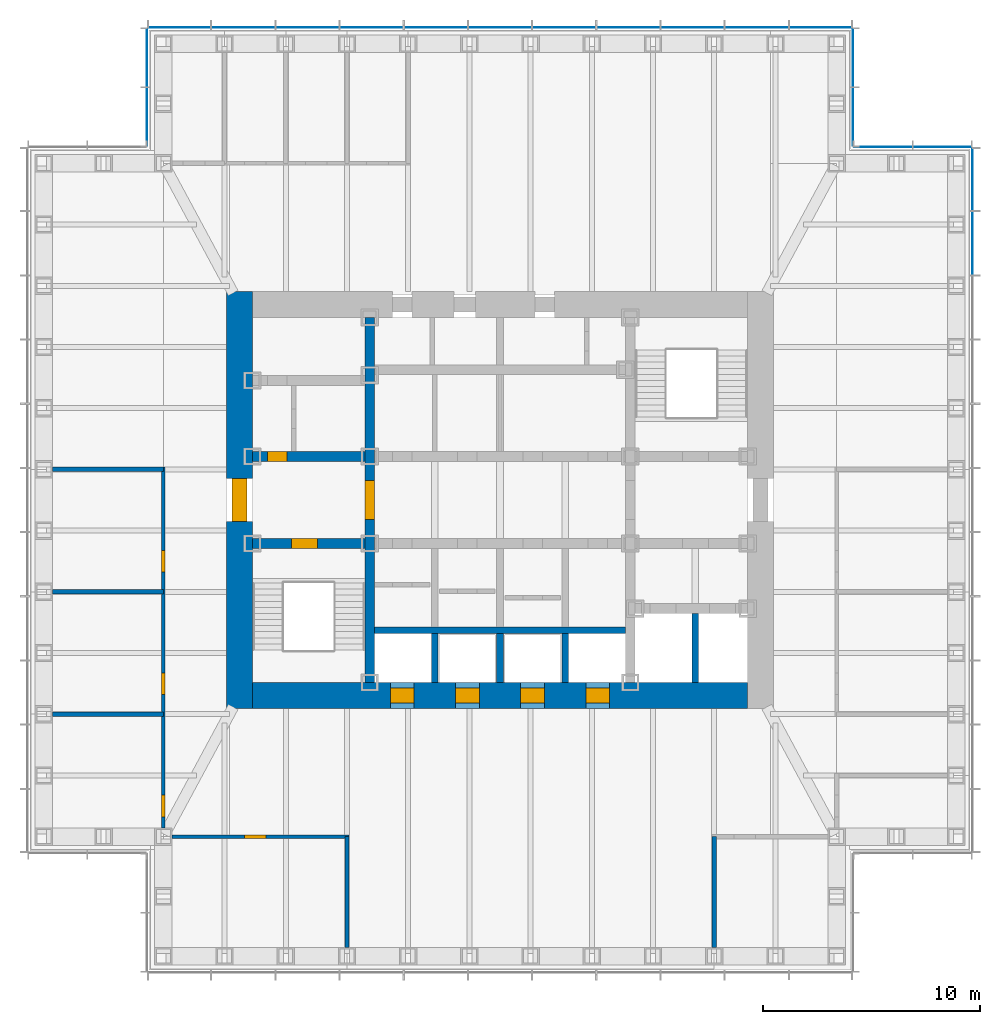
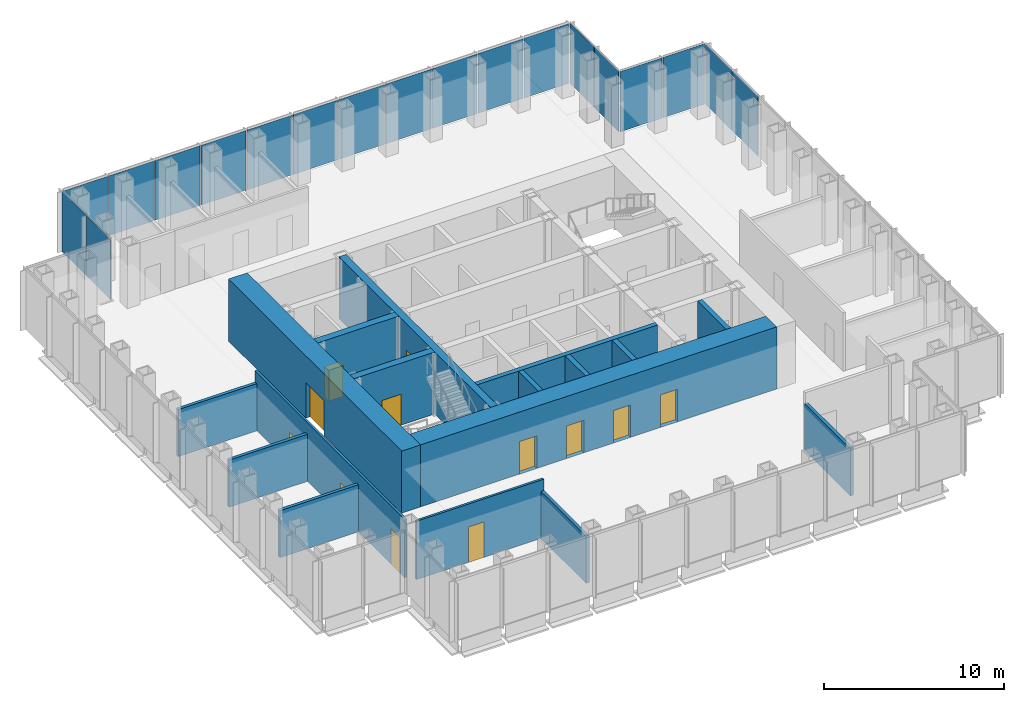
# One storey, part 8 of 16: 19 plates, 17 walls, 12 doors, 12 openings, 5 elements without a shape of their own.
"""IFC4 building model written with IfcOpenShell, lengths in metres."""

from ifc_helpers import new_model, si_unit, direction, frame, frame_2d, origin, origin_2d, place, context, subcontext, project, spatial, rectangle, extrude, material, layer, layer_set, type_object, element, fill, aggregate, save


model = new_model("IFC4")

# Units and contexts
model_context = context("Model", 3, precision=1e-05, world=origin(), true_north=direction((0.0, 1.0)))
body_context = subcontext(model_context, "Body", "Model", "MODEL_VIEW")
ifc_project = project(units=[si_unit("LENGTHUNIT", "METRE"), si_unit("AREAUNIT", "SQUARE_METRE"), si_unit("VOLUMEUNIT", "CUBIC_METRE"), si_unit("PLANEANGLEUNIT", "RADIAN"), si_unit("MASSUNIT", "GRAM", prefix="KILO")], contexts=[model_context])

# Site, building, storey
site_placement = place(None, origin())
site = spatial("IfcSite", under=ifc_project, at=site_placement, CompositionType="ELEMENT")
building_placement = place(site_placement, origin())
building = spatial("IfcBuilding", under=site, at=building_placement, Name="Daluyong Arena Tower", CompositionType="ELEMENT")
storey_placement = place(building_placement, frame((0.0, 0.0, 240.10009765625)))
storey = spatial("IfcBuildingStorey", under=building, at=storey_placement, Name="L54", CompositionType="ELEMENT", Elevation=240.10009765625)

# Curtain wall, plates
ifc_material_1 = material(Name="Bronze anodised aluminium and glass", Category="aluminium")
curtain_wall_type_1 = type_object("IfcCurtainWallType", Name="Curtain wall CW3", PredefinedType="USERDEFINED", material=ifc_material_1)
curtain_wall_1_placement = place(storey_placement, origin())
curtain_wall_1 = element("IfcCurtainWall", 1, at=curtain_wall_1_placement, inside=storey, type_object=curtain_wall_type_1, Name="curtain wall L54 E", ObjectType="UNITISED CURTAIN WALL", PredefinedType="USERDEFINED")
ifc_material_2 = material(Name="Tinted double glazed unit", Category="glass")
ifc_layer_1 = layer(ifc_material_2, 0.030029296875)
ifc_layer_set_1 = layer_set([ifc_layer_1], Name="Tinted double glazed unit")
plate_type_1 = type_object("IfcPlateType", Name="CW3 panel 30", PredefinedType="CURTAIN_PANEL", material=ifc_layer_set_1)
plate_1_placement = place(storey_placement, frame((77.75, 91.818115234375, 0.0), z_axis=(0.0, 0.0, 1.0), x_axis=(0.0, 1.0, 0.0)))
plate_1 = element("IfcPlate", 2, at=plate_1_placement, type_object=plate_type_1, Name="curtain wall L54 E panel 10", PredefinedType="CURTAIN_PANEL", context=body_context, shape_type="SweptSolid", body=[
    extrude(rectangle(XDim=2.884521484375, YDim=0.030029296875, at=origin_2d()), origin(), (0.0, 0.0, 1.0), 4.0400390625),
])
plate_2_placement = place(storey_placement, frame((77.75, 94.755126953125, 0.0), z_axis=(0.0, 0.0, 1.0), x_axis=(0.0, 1.0, 0.0)))
plate_2 = element("IfcPlate", 3, at=plate_2_placement, type_object=plate_type_1, Name="curtain wall L54 E panel 11", PredefinedType="CURTAIN_PANEL", context=body_context, shape_type="SweptSolid", body=[
    extrude(rectangle(XDim=2.849609375, YDim=0.030029296875, at=origin_2d()), origin(), (0.0, 0.0, 1.0), 4.0400390625),
])
aggregate(curtain_wall_1, [plate_1, plate_2])

curtain_wall_2_placement = place(storey_placement, origin())
curtain_wall_2 = element("IfcCurtainWall", 4, at=curtain_wall_2_placement, inside=storey, type_object=curtain_wall_type_1, Name="curtain wall L54 N", ObjectType="UNITISED CURTAIN WALL", PredefinedType="USERDEFINED")
plate_3_placement = place(storey_placement, frame((70.755126953125, 101.75, 0.0), z_axis=(0.0, 0.0, 1.0), x_axis=(-1.0, 0.0, 0.0)))
plate_3 = element("IfcPlate", 5, at=plate_3_placement, type_object=plate_type_1, Name="curtain wall L54 N panel 1", PredefinedType="CURTAIN_PANEL", context=body_context, shape_type="SweptSolid", body=[
    extrude(rectangle(XDim=2.849609375, YDim=0.030029296875, at=origin_2d()), origin(), (0.0, 0.0, 1.0), 4.0400390625),
])
plate_4_placement = place(storey_placement, frame((67.818115234375, 101.75, 0.0), z_axis=(0.0, 0.0, 1.0), x_axis=(-1.0, 0.0, 0.0)))
plate_4 = element("IfcPlate", 6, at=plate_4_placement, type_object=plate_type_1, Name="curtain wall L54 N panel 2", PredefinedType="CURTAIN_PANEL", context=body_context, shape_type="SweptSolid", body=[
    extrude(rectangle(XDim=2.884521484375, YDim=0.030029296875, at=origin_2d()), origin(), (0.0, 0.0, 1.0), 4.0400390625),
])
plate_5_placement = place(storey_placement, frame((64.863525390625, 101.75, 0.0), z_axis=(0.0, 0.0, 1.0), x_axis=(-1.0, 0.0, 0.0)))
plate_5 = element("IfcPlate", 7, at=plate_5_placement, type_object=plate_type_1, Name="curtain wall L54 N panel 3", PredefinedType="CURTAIN_PANEL", context=body_context, shape_type="SweptSolid", body=[
    extrude(rectangle(XDim=2.884521484375, YDim=0.030029296875, at=origin_2d()), origin(), (0.0, 0.0, 1.0), 4.0400390625),
])
plate_6_placement = place(storey_placement, frame((61.9091796875, 101.75, 0.0), z_axis=(0.0, 0.0, 1.0), x_axis=(-1.0, 0.0, 0.0)))
plate_6 = element("IfcPlate", 8, at=plate_6_placement, type_object=plate_type_1, Name="curtain wall L54 N panel 4", PredefinedType="CURTAIN_PANEL", context=body_context, shape_type="SweptSolid", body=[
    extrude(rectangle(XDim=2.884521484375, YDim=0.030029296875, at=origin_2d()), origin(), (0.0, 0.0, 1.0), 4.0400390625),
])
plate_7_placement = place(storey_placement, frame((58.95458984375, 101.75, 0.0), z_axis=(0.0, 0.0, 1.0), x_axis=(-1.0, 0.0, 0.0)))
plate_7 = element("IfcPlate", 9, at=plate_7_placement, type_object=plate_type_1, Name="curtain wall L54 N panel 5", PredefinedType="CURTAIN_PANEL", context=body_context, shape_type="SweptSolid", body=[
    extrude(rectangle(XDim=2.884521484375, YDim=0.030029296875, at=origin_2d()), origin(), (0.0, 0.0, 1.0), 4.0400390625),
])
plate_8_placement = place(storey_placement, frame((56.0, 101.75, 0.0), z_axis=(0.0, 0.0, 1.0), x_axis=(-1.0, 0.0, 0.0)))
plate_8 = element("IfcPlate", 10, at=plate_8_placement, type_object=plate_type_1, Name="curtain wall L54 N panel 6", PredefinedType="CURTAIN_PANEL", context=body_context, shape_type="SweptSolid", body=[
    extrude(rectangle(XDim=2.884521484375, YDim=0.030029296875, at=origin_2d()), origin(), (0.0, 0.0, 1.0), 4.0400390625),
])
plate_9_placement = place(storey_placement, frame((53.04541015625, 101.75, 0.0), z_axis=(0.0, 0.0, 1.0), x_axis=(-1.0, 0.0, 0.0)))
plate_9 = element("IfcPlate", 11, at=plate_9_placement, type_object=plate_type_1, Name="curtain wall L54 N panel 7", PredefinedType="CURTAIN_PANEL", context=body_context, shape_type="SweptSolid", body=[
    extrude(rectangle(XDim=2.884521484375, YDim=0.030029296875, at=origin_2d()), origin(), (0.0, 0.0, 1.0), 4.0400390625),
])
plate_10_placement = place(storey_placement, frame((50.0908203125, 101.75, 0.0), z_axis=(0.0, 0.0, 1.0), x_axis=(-1.0, 0.0, 0.0)))
plate_10 = element("IfcPlate", 12, at=plate_10_placement, type_object=plate_type_1, Name="curtain wall L54 N panel 8", PredefinedType="CURTAIN_PANEL", context=body_context, shape_type="SweptSolid", body=[
    extrude(rectangle(XDim=2.884521484375, YDim=0.030029296875, at=origin_2d()), origin(), (0.0, 0.0, 1.0), 4.0400390625),
])
plate_11_placement = place(storey_placement, frame((47.136474609375, 101.75, 0.0), z_axis=(0.0, 0.0, 1.0), x_axis=(-1.0, 0.0, 0.0)))
plate_11 = element("IfcPlate", 13, at=plate_11_placement, type_object=plate_type_1, Name="curtain wall L54 N panel 9", PredefinedType="CURTAIN_PANEL", context=body_context, shape_type="SweptSolid", body=[
    extrude(rectangle(XDim=2.884521484375, YDim=0.030029296875, at=origin_2d()), origin(), (0.0, 0.0, 1.0), 4.0400390625),
])
plate_12_placement = place(storey_placement, frame((44.181884765625, 101.75, 0.0), z_axis=(0.0, 0.0, 1.0), x_axis=(-1.0, 0.0, 0.0)))
plate_12 = element("IfcPlate", 14, at=plate_12_placement, type_object=plate_type_1, Name="curtain wall L54 N panel 10", PredefinedType="CURTAIN_PANEL", context=body_context, shape_type="SweptSolid", body=[
    extrude(rectangle(XDim=2.884521484375, YDim=0.030029296875, at=origin_2d()), origin(), (0.0, 0.0, 1.0), 4.0400390625),
])
plate_13_placement = place(storey_placement, frame((41.244873046875, 101.75, 0.0), z_axis=(0.0, 0.0, 1.0), x_axis=(-1.0, 0.0, 0.0)))
plate_13 = element("IfcPlate", 15, at=plate_13_placement, type_object=plate_type_1, Name="curtain wall L54 N panel 11", PredefinedType="CURTAIN_PANEL", context=body_context, shape_type="SweptSolid", body=[
    extrude(rectangle(XDim=2.849609375, YDim=0.030029296875, at=origin_2d()), origin(), (0.0, 0.0, 1.0), 4.0400390625),
])
aggregate(curtain_wall_2, [plate_3, plate_4, plate_5, plate_6, plate_7, plate_8, plate_9, plate_10, plate_11, plate_12, plate_13])

ifc_material_3 = material(Name="Bronze anodised aluminium and glass", Category="aluminium")
curtain_wall_type_2 = type_object("IfcCurtainWallType", Name="Curtain wall CW7", PredefinedType="USERDEFINED", material=ifc_material_3)
curtain_wall_3_placement = place(storey_placement, origin())
curtain_wall_3 = element("IfcCurtainWall", 16, at=curtain_wall_3_placement, inside=storey, type_object=curtain_wall_type_2, Name="curtain wall L54 NE-N", ObjectType="UNITISED CURTAIN WALL", PredefinedType="USERDEFINED")
ifc_material_4 = material(Name="Tinted double glazed unit", Category="glass")
ifc_layer_2 = layer(ifc_material_4, 0.028076171875)
ifc_layer_set_2 = layer_set([ifc_layer_2], Name="Tinted double glazed unit")
plate_type_2 = type_object("IfcPlateType", Name="CW7 panel 28", PredefinedType="CURTAIN_PANEL", material=ifc_layer_set_2)
plate_14_placement = place(storey_placement, frame((76.360107421875, 96.25, -0.000244140625), z_axis=(0.0, 0.0, 1.0), x_axis=(-1.0, 0.0, 0.0)))
plate_14 = element("IfcPlate", 17, at=plate_14_placement, type_object=plate_type_2, Name="curtain wall L54 NE-N panel 1", PredefinedType="CURTAIN_PANEL", context=body_context, shape_type="SweptSolid", body=[
    extrude(rectangle(XDim=2.659912109375, YDim=0.028076171875, at=origin_2d()), origin(), (0.0, 0.0, 1.0), 4.080078125),
])
plate_15_placement = place(storey_placement, frame((73.639892578125, 96.25, -0.000244140625), z_axis=(0.0, 0.0, 1.0), x_axis=(-1.0, 0.0, 0.0)))
plate_15 = element("IfcPlate", 18, at=plate_15_placement, type_object=plate_type_2, Name="curtain wall L54 NE-N panel 2", PredefinedType="CURTAIN_PANEL", context=body_context, shape_type="SweptSolid", body=[
    extrude(rectangle(XDim=2.659912109375, YDim=0.028076171875, at=origin_2d()), origin(), (0.0, 0.0, 1.0), 4.080078125),
])
aggregate(curtain_wall_3, [plate_14, plate_15])

curtain_wall_4_placement = place(storey_placement, origin())
curtain_wall_4 = element("IfcCurtainWall", 19, at=curtain_wall_4_placement, inside=storey, type_object=curtain_wall_type_2, Name="curtain wall L54 NE-E", ObjectType="UNITISED CURTAIN WALL", PredefinedType="USERDEFINED")
plate_16_placement = place(storey_placement, frame((72.25, 97.639892578125, -0.000244140625), z_axis=(0.0, 0.0, 1.0), x_axis=(0.0, 1.0, 0.0)))
plate_16 = element("IfcPlate", 20, at=plate_16_placement, type_object=plate_type_2, Name="curtain wall L54 NE-E panel 1", PredefinedType="CURTAIN_PANEL", context=body_context, shape_type="SweptSolid", body=[
    extrude(rectangle(XDim=2.659912109375, YDim=0.028076171875, at=origin_2d()), origin(), (0.0, 0.0, 1.0), 4.080078125),
])
plate_17_placement = place(storey_placement, frame((72.25, 100.360107421875, -0.000244140625), z_axis=(0.0, 0.0, 1.0), x_axis=(0.0, 1.0, 0.0)))
plate_17 = element("IfcPlate", 21, at=plate_17_placement, type_object=plate_type_2, Name="curtain wall L54 NE-E panel 2", PredefinedType="CURTAIN_PANEL", context=body_context, shape_type="SweptSolid", body=[
    extrude(rectangle(XDim=2.659912109375, YDim=0.028076171875, at=origin_2d()), origin(), (0.0, 0.0, 1.0), 4.080078125),
])
aggregate(curtain_wall_4, [plate_16, plate_17])

curtain_wall_5_placement = place(storey_placement, origin())
curtain_wall_5 = element("IfcCurtainWall", 22, at=curtain_wall_5_placement, inside=storey, type_object=curtain_wall_type_2, Name="curtain wall L54 NW-W", ObjectType="UNITISED CURTAIN WALL", PredefinedType="USERDEFINED")
plate_18_placement = place(storey_placement, frame((39.75, 100.360107421875, -0.000244140625), z_axis=(0.0, 0.0, 1.0), x_axis=(0.0, -1.0, 0.0)))
plate_18 = element("IfcPlate", 23, at=plate_18_placement, type_object=plate_type_2, Name="curtain wall L54 NW-W panel 1", PredefinedType="CURTAIN_PANEL", context=body_context, shape_type="SweptSolid", body=[
    extrude(rectangle(XDim=2.659912109375, YDim=0.028076171875, at=origin_2d()), origin(), (0.0, 0.0, 1.0), 4.080078125),
])
plate_19_placement = place(storey_placement, frame((39.75, 97.639892578125, -0.000244140625), z_axis=(0.0, 0.0, 1.0), x_axis=(0.0, -1.0, 0.0)))
plate_19 = element("IfcPlate", 24, at=plate_19_placement, type_object=plate_type_2, Name="curtain wall L54 NW-W panel 2", PredefinedType="CURTAIN_PANEL", context=body_context, shape_type="SweptSolid", body=[
    extrude(rectangle(XDim=2.659912109375, YDim=0.028076171875, at=origin_2d()), origin(), (0.0, 0.0, 1.0), 4.080078125),
])
aggregate(curtain_wall_5, [plate_18, plate_19])

# Wall, opening, door
ifc_material_5 = material(Name="Concrete fc' 45 MPa", Category="concrete")
ifc_layer_3 = layer(ifc_material_5, 0.449951171875)
ifc_layer_set_3 = layer_set([ifc_layer_3], Name="Concrete fc' 45 MPa")
wall_type_1 = type_object("IfcWallType", Name="Core inner wall 450", PredefinedType="SHEAR", material=ifc_layer_set_3)
wall_1_placement = place(storey_placement, frame((50.0, 71.60009765625, 0.0), z_axis=(0.0, 0.0, 1.0), x_axis=(0.0, 1.0, 0.0)))
wall_1 = element("IfcWall", 25, at=wall_1_placement, inside=storey, type_object=wall_type_1, Name="core inner wall at L54", PredefinedType="SHEAR", context=body_context, shape_type="SweptSolid", body=[
    extrude(rectangle(XDim=16.7998046875, YDim=0.449951171875, at=frame_2d((8.39990234375, 0.0))), origin(), (0.0, 0.0, 1.0), 4.199951171875),
])
opening_1_placement = place(wall_1_placement, frame((7.5, 0.0, 0.0)))
opening_1 = element("IfcOpeningElement", 26, at=opening_1_placement, cuts=wall_1, Name="Opening 54023", PredefinedType="OPENING", context=body_context, shape_type="SweptSolid", body=[
    extrude(rectangle(XDim=1.800048828125, YDim=2.39990234375, at=frame_2d((0.89990234375, 1.199951171875))), frame((0.0, 0.23486328125, 0.0), z_axis=(0.0, -1.0, 0.0), x_axis=(1.0, 0.0, 0.0)), (0.0, 0.0, 1.0), 0.469970703125),
])
ifc_material_6 = material(Name="Steel door, fire rated", Category="steel")
door_type_1 = type_object("IfcDoorType", Name="Lift lobby opening door 1800", OperationType="DOUBLE_DOOR_SINGLE_SWING", PredefinedType="DOOR", material=ifc_material_6)
door_1_placement = place(opening_1_placement, origin())
door_1 = element("IfcDoor", 27, at=door_1_placement, inside=storey, type_object=door_type_1, Name="lift lobby door west 54023", OperationType="DOUBLE_DOOR_SINGLE_SWING", OverallHeight=2.39990234375, OverallWidth=1.800048828125, PredefinedType="DOOR", context=body_context, shape_type="SweptSolid", body=[
    extrude(rectangle(XDim=1.800048828125, YDim=2.39990234375, at=frame_2d((0.89990234375, 1.199951171875))), frame((0.0, 0.224609375, 0.0), z_axis=(0.0, -1.0, 0.0), x_axis=(1.0, 0.0, 0.0)), (0.0, 0.0, 1.0), 0.449462890625),
])
fill(opening_1, door_1)

wall_2_placement = place(storey_placement, frame((44.60009765625, 78.0, 0.0), z_axis=(0.0, 0.0, 1.0), x_axis=(1.0, 0.0, 0.0)))
wall_2 = element("IfcWall", 28, at=wall_2_placement, inside=storey, type_object=wall_type_1, Name="core inner wall at L54", PredefinedType="SHEAR", context=body_context, shape_type="SweptSolid", body=[
    extrude(rectangle(XDim=5.1748046875, YDim=0.449951171875, at=frame_2d((2.58740234375, 0.0))), origin(), (0.0, 0.0, 1.0), 4.199951171875),
])
opening_2_placement = place(wall_2_placement, frame((1.800048828125, 0.0, 0.0)))
opening_2 = element("IfcOpeningElement", 29, at=opening_2_placement, cuts=wall_2, Name="Opening 54019", PredefinedType="OPENING", context=body_context, shape_type="SweptSolid", body=[
    extrude(rectangle(XDim=1.199951171875, YDim=2.10009765625, at=frame_2d((0.60009765625, 1.050048828125))), frame((0.0, 0.23486328125, 0.0), z_axis=(0.0, -1.0, 0.0), x_axis=(1.0, 0.0, 0.0)), (0.0, 0.0, 1.0), 0.469970703125),
])
ifc_material_7 = material(Name="Steel door, fire rated", Category="steel")
door_type_2 = type_object("IfcDoorType", Name="Stair door 1200", OperationType="SINGLE_SWING_LEFT", PredefinedType="DOOR", material=ifc_material_7)
door_2_placement = place(opening_2_placement, origin())
door_2 = element("IfcDoor", 30, at=door_2_placement, inside=storey, type_object=door_type_2, Name="stair A door 54019", OperationType="SINGLE_SWING_LEFT", OverallHeight=2.10009765625, OverallWidth=1.199951171875, PredefinedType="DOOR", context=body_context, shape_type="SweptSolid", body=[
    extrude(rectangle(XDim=1.199951171875, YDim=2.10009765625, at=frame_2d((0.60009765625, 1.050048828125))), frame((0.0, 0.224609375, 0.0), z_axis=(0.0, -1.0, 0.0), x_axis=(1.0, 0.0, 0.0)), (0.0, 0.0, 1.0), 0.449462890625),
])
fill(opening_2, door_2)

wall_3_placement = place(storey_placement, frame((44.60009765625, 82.0, 0.0), z_axis=(0.0, 0.0, 1.0), x_axis=(1.0, 0.0, 0.0)))
wall_3 = element("IfcWall", 31, at=wall_3_placement, inside=storey, type_object=wall_type_1, Name="core inner wall at L54", PredefinedType="SHEAR", context=body_context, shape_type="SweptSolid", body=[
    extrude(rectangle(XDim=5.1748046875, YDim=0.449951171875, at=frame_2d((2.58740234375, 0.0))), origin(), (0.0, 0.0, 1.0), 4.199951171875),
])
opening_3_placement = place(wall_3_placement, frame((0.699951171875, 0.0, 0.0)))
opening_3 = element("IfcOpeningElement", 32, at=opening_3_placement, cuts=wall_3, Name="Opening 54001", PredefinedType="OPENING", context=body_context, shape_type="SweptSolid", body=[
    extrude(rectangle(XDim=0.89990234375, YDim=2.10009765625, at=frame_2d((0.449951171875, 1.050048828125))), frame((0.0, 0.23486328125, 0.0), z_axis=(0.0, -1.0, 0.0), x_axis=(1.0, 0.0, 0.0)), (0.0, 0.0, 1.0), 0.469970703125),
])
ifc_material_8 = material(Name="Steel door, fire rated", Category="steel")
door_type_3 = type_object("IfcDoorType", Name="Core room door 900", OperationType="SINGLE_SWING_LEFT", PredefinedType="DOOR", material=ifc_material_8)
door_3_placement = place(opening_3_placement, origin())
door_3 = element("IfcDoor", 33, at=door_3_placement, inside=storey, type_object=door_type_3, Name="toilet lobby door 54001", OperationType="SINGLE_SWING_LEFT", OverallHeight=2.10009765625, OverallWidth=0.89990234375, PredefinedType="DOOR", context=body_context, shape_type="SweptSolid", body=[
    extrude(rectangle(XDim=0.89990234375, YDim=2.10009765625, at=frame_2d((0.449951171875, 1.050048828125))), frame((0.0, 0.224609375, 0.0), z_axis=(0.0, -1.0, 0.0), x_axis=(1.0, 0.0, 0.0)), (0.0, 0.0, 1.0), 0.449462890625),
])
fill(opening_3, door_3)

ifc_material_9 = material(Name="Concrete fc' 60 MPa", Category="concrete")
ifc_layer_4 = layer(ifc_material_9, 1.199951171875)
ifc_layer_set_4 = layer_set([ifc_layer_4], Name="Concrete fc' 60 MPa")
wall_type_2 = type_object("IfcWallType", Name="Core wall 1200", PredefinedType="SHEAR", material=ifc_layer_set_4)
wall_4_placement = place(storey_placement, frame((44.0, 70.39990234375, 0.0), z_axis=(0.0, 0.0, 1.0), x_axis=(0.0, 1.0, 0.0)))
wall_4 = element("IfcWall", 34, at=wall_4_placement, inside=storey, type_object=wall_type_2, Name="core wall at L54", PredefinedType="SHEAR", context=body_context, shape_type="SweptSolid", body=[
    extrude(rectangle(XDim=19.2001953125, YDim=1.199951171875, at=frame_2d((9.60009765625, 0.0))), origin(), (0.0, 0.0, 1.0), 4.199951171875),
])
opening_4_placement = place(wall_4_placement, frame((8.60009765625, 0.0, 0.0)))
opening_4 = element("IfcOpeningElement", 35, at=opening_4_placement, cuts=wall_4, Name="Opening 54021", PredefinedType="OPENING", context=body_context, shape_type="SweptSolid", body=[
    extrude(rectangle(XDim=2.0, YDim=2.39990234375, at=frame_2d((1.0, 1.199951171875))), frame((0.0, 0.60986328125, 0.0), z_axis=(0.0, -1.0, 0.0), x_axis=(1.0, 0.0, 0.0)), (0.0, 0.0, 1.0), 1.219970703125),
])
ifc_material_10 = material(Name="Steel door, fire rated", Category="steel")
door_type_4 = type_object("IfcDoorType", Name="Core lobby double door 2000", OperationType="DOUBLE_DOOR_SINGLE_SWING", PredefinedType="DOOR", material=ifc_material_10)
door_4_placement = place(opening_4_placement, origin())
door_4 = element("IfcDoor", 36, at=door_4_placement, inside=storey, type_object=door_type_4, Name="core lobby door west 54021", OperationType="DOUBLE_DOOR_SINGLE_SWING", OverallHeight=2.39990234375, OverallWidth=2.0, PredefinedType="DOOR", context=body_context, shape_type="SweptSolid", body=[
    extrude(rectangle(XDim=2.0, YDim=2.39990234375, at=frame_2d((1.0, 1.199951171875))), frame((0.0, 0.35009765625, 0.0), z_axis=(0.0, -1.0, 0.0), x_axis=(1.0, 0.0, 0.0)), (0.0, 0.0, 1.0), 0.699951171875),
])
fill(opening_4, door_4)

# Wall, openings, doors
wall_5_placement = place(storey_placement, frame((44.60009765625, 71.0, 0.0), z_axis=(0.0, 0.0, 1.0), x_axis=(1.0, 0.0, 0.0)))
wall_5 = element("IfcWall", 37, at=wall_5_placement, inside=storey, type_object=wall_type_2, Name="core wall at L54", PredefinedType="SHEAR", context=body_context, shape_type="SweptSolid", body=[
    extrude(rectangle(XDim=22.7998046875, YDim=1.199951171875, at=frame_2d((11.39990234375, 0.0))), origin(), (0.0, 0.0, 1.0), 4.199951171875),
])
opening_5_placement = place(wall_5_placement, frame((6.35009765625, 0.0, 0.0)))
opening_5 = element("IfcOpeningElement", 38, at=opening_5_placement, cuts=wall_5, Name="Opening 54026", PredefinedType="OPENING", context=body_context, shape_type="SweptSolid", body=[
    extrude(rectangle(XDim=1.10009765625, YDim=2.199951171875, at=frame_2d((0.550048828125, 1.10009765625))), frame((0.0, 0.60986328125, 0.0), z_axis=(0.0, -1.0, 0.0), x_axis=(1.0, 0.0, 0.0)), (0.0, 0.0, 1.0), 1.219970703125),
])
opening_6_placement = place(wall_5_placement, frame((9.35009765625, 0.0, 0.0)))
opening_6 = element("IfcOpeningElement", 39, at=opening_6_placement, cuts=wall_5, Name="Opening 54027", PredefinedType="OPENING", context=body_context, shape_type="SweptSolid", body=[
    extrude(rectangle(XDim=1.10009765625, YDim=2.199951171875, at=frame_2d((0.550048828125, 1.10009765625))), frame((0.0, 0.60986328125, 0.0), z_axis=(0.0, -1.0, 0.0), x_axis=(1.0, 0.0, 0.0)), (0.0, 0.0, 1.0), 1.219970703125),
])
opening_7_placement = place(wall_5_placement, frame((12.35009765625, 0.0, 0.0)))
opening_7 = element("IfcOpeningElement", 40, at=opening_7_placement, cuts=wall_5, Name="Opening 54028", PredefinedType="OPENING", context=body_context, shape_type="SweptSolid", body=[
    extrude(rectangle(XDim=1.10009765625, YDim=2.199951171875, at=frame_2d((0.550048828125, 1.10009765625))), frame((0.0, 0.60986328125, 0.0), z_axis=(0.0, -1.0, 0.0), x_axis=(1.0, 0.0, 0.0)), (0.0, 0.0, 1.0), 1.219970703125),
])
opening_8_placement = place(wall_5_placement, frame((15.35009765625, 0.0, 0.0)))
opening_8 = element("IfcOpeningElement", 41, at=opening_8_placement, cuts=wall_5, Name="Opening 54029", PredefinedType="OPENING", context=body_context, shape_type="SweptSolid", body=[
    extrude(rectangle(XDim=1.10009765625, YDim=2.199951171875, at=frame_2d((0.550048828125, 1.10009765625))), frame((0.0, 0.60986328125, 0.0), z_axis=(0.0, -1.0, 0.0), x_axis=(1.0, 0.0, 0.0)), (0.0, 0.0, 1.0), 1.219970703125),
])
ifc_material_11 = material(Name="Steel door, fire rated", Category="steel")
door_type_5 = type_object("IfcDoorType", Name="Lift landing door 1100", OperationType="SLIDING_TO_LEFT", PredefinedType="DOOR", material=ifc_material_11)
door_5_placement = place(opening_5_placement, origin())
door_5 = element("IfcDoor", 42, at=door_5_placement, inside=storey, type_object=door_type_5, Name="lift landing door C1 54026", OperationType="SLIDING_TO_LEFT", OverallHeight=2.199951171875, OverallWidth=1.10009765625, PredefinedType="DOOR", context=body_context, shape_type="SweptSolid", body=[
    extrude(rectangle(XDim=1.10009765625, YDim=2.199951171875, at=frame_2d((0.550048828125, 1.10009765625))), frame((0.0, 0.35009765625, 0.0), z_axis=(0.0, -1.0, 0.0), x_axis=(1.0, 0.0, 0.0)), (0.0, 0.0, 1.0), 0.699951171875),
])
fill(opening_5, door_5)
door_6_placement = place(opening_6_placement, origin())
door_6 = element("IfcDoor", 43, at=door_6_placement, inside=storey, type_object=door_type_5, Name="lift landing door C2 54027", OperationType="SLIDING_TO_LEFT", OverallHeight=2.199951171875, OverallWidth=1.10009765625, PredefinedType="DOOR", context=body_context, shape_type="SweptSolid", body=[
    extrude(rectangle(XDim=1.10009765625, YDim=2.199951171875, at=frame_2d((0.550048828125, 1.10009765625))), frame((0.0, 0.35009765625, 0.0), z_axis=(0.0, -1.0, 0.0), x_axis=(1.0, 0.0, 0.0)), (0.0, 0.0, 1.0), 0.699951171875),
])
fill(opening_6, door_6)
door_7_placement = place(opening_7_placement, origin())
door_7 = element("IfcDoor", 44, at=door_7_placement, inside=storey, type_object=door_type_5, Name="lift landing door C3 54028", OperationType="SLIDING_TO_LEFT", OverallHeight=2.199951171875, OverallWidth=1.10009765625, PredefinedType="DOOR", context=body_context, shape_type="SweptSolid", body=[
    extrude(rectangle(XDim=1.10009765625, YDim=2.199951171875, at=frame_2d((0.550048828125, 1.10009765625))), frame((0.0, 0.35009765625, 0.0), z_axis=(0.0, -1.0, 0.0), x_axis=(1.0, 0.0, 0.0)), (0.0, 0.0, 1.0), 0.699951171875),
])
fill(opening_7, door_7)
door_8_placement = place(opening_8_placement, origin())
door_8 = element("IfcDoor", 45, at=door_8_placement, inside=storey, type_object=door_type_5, Name="lift landing door C4 54029", OperationType="SLIDING_TO_LEFT", OverallHeight=2.199951171875, OverallWidth=1.10009765625, PredefinedType="DOOR", context=body_context, shape_type="SweptSolid", body=[
    extrude(rectangle(XDim=1.10009765625, YDim=2.199951171875, at=frame_2d((0.550048828125, 1.10009765625))), frame((0.0, 0.35009765625, 0.0), z_axis=(0.0, -1.0, 0.0), x_axis=(1.0, 0.0, 0.0)), (0.0, 0.0, 1.0), 0.699951171875),
])
fill(opening_8, door_8)

# Wall, opening, door
ifc_material_12 = material(Name="Glazed aluminium partition", Category="aluminium")
ifc_layer_5 = layer(ifc_material_12, 0.14990234375)
ifc_layer_set_5 = layer_set([ifc_layer_5], Name="Glazed aluminium partition")
wall_type_3 = type_object("IfcWallType", Name="Glazed partition 150", PredefinedType="PARTITIONING", material=ifc_layer_set_5)
wall_6_placement = place(storey_placement, frame((40.89990234375, 64.5, 0.0), z_axis=(0.0, 0.0, 1.0), x_axis=(1.0, 0.0, 0.0)))
wall_6 = element("IfcWall", 46, at=wall_6_placement, inside=storey, type_object=wall_type_3, Name="glazed partition at L54", PredefinedType="PARTITIONING", context=body_context, shape_type="SweptSolid", body=[
    extrude(rectangle(XDim=8.154541015625, YDim=0.14990234375, at=frame_2d((4.0771484375, 0.0))), origin(), (0.0, 0.0, 1.0), 3.949951171875),
])
opening_9_placement = place(wall_6_placement, frame((3.327392578125, 0.0, 0.0)))
opening_9 = element("IfcOpeningElement", 47, at=opening_9_placement, cuts=wall_6, Name="Opening 54032", PredefinedType="OPENING", context=body_context, shape_type="SweptSolid", body=[
    extrude(rectangle(XDim=1.0, YDim=2.39990234375, at=frame_2d((0.5, 1.199951171875))), frame((0.0, 0.0849609375, 0.0), z_axis=(0.0, -1.0, 0.0), x_axis=(1.0, 0.0, 0.0)), (0.0, 0.0, 1.0), 0.169921875),
])
ifc_material_13 = material(Name="Glazed aluminium door", Category="aluminium")
door_type_6 = type_object("IfcDoorType", Name="Meeting room glazed door 1000", OperationType="SINGLE_SWING_RIGHT", PredefinedType="DOOR", material=ifc_material_13)
door_9_placement = place(opening_9_placement, origin())
door_9 = element("IfcDoor", 48, at=door_9_placement, inside=storey, type_object=door_type_6, Name="meeting room door 54032", OperationType="SINGLE_SWING_RIGHT", OverallHeight=2.39990234375, OverallWidth=1.0, PredefinedType="DOOR", context=body_context, shape_type="SweptSolid", body=[
    extrude(rectangle(XDim=1.0, YDim=2.39990234375, at=frame_2d((0.5, 1.199951171875))), frame((0.0, 0.07470703125, 0.0), z_axis=(0.0, -1.0, 0.0), x_axis=(1.0, 0.0, 0.0)), (0.0, 0.0, 1.0), 0.1494140625),
])
fill(opening_9, door_9)

# Wall, openings, doors
wall_7_placement = place(storey_placement, frame((40.5, 64.89990234375, 0.0), z_axis=(0.0, 0.0, 1.0), x_axis=(0.0, 1.0, 0.0)))
wall_7 = element("IfcWall", 49, at=wall_7_placement, inside=storey, type_object=wall_type_3, Name="glazed partition at L54", PredefinedType="PARTITIONING", context=body_context, shape_type="SweptSolid", body=[
    extrude(rectangle(XDim=16.609130859375, YDim=0.14990234375, at=frame_2d((8.3046875, 0.0))), origin(), (0.0, 0.0, 1.0), 3.949951171875),
])
opening_10_placement = place(wall_7_placement, frame((0.509033203125, 0.0, 0.0)))
opening_10 = element("IfcOpeningElement", 50, at=opening_10_placement, cuts=wall_7, Name="Opening 54041", PredefinedType="OPENING", context=body_context, shape_type="SweptSolid", body=[
    extrude(rectangle(XDim=1.0, YDim=2.39990234375, at=frame_2d((0.5, 1.199951171875))), frame((0.0, 0.0849609375, 0.0), z_axis=(0.0, -1.0, 0.0), x_axis=(1.0, 0.0, 0.0)), (0.0, 0.0, 1.0), 0.169921875),
])
opening_11_placement = place(wall_7_placement, frame((6.1455078125, 0.0, 0.0)))
opening_11 = element("IfcOpeningElement", 51, at=opening_11_placement, cuts=wall_7, Name="Opening 54042", PredefinedType="OPENING", context=body_context, shape_type="SweptSolid", body=[
    extrude(rectangle(XDim=1.0, YDim=2.10009765625, at=frame_2d((0.5, 1.050048828125))), frame((0.0, 0.0849609375, 0.0), z_axis=(0.0, -1.0, 0.0), x_axis=(1.0, 0.0, 0.0)), (0.0, 0.0, 1.0), 0.169921875),
])
opening_12_placement = place(wall_7_placement, frame((11.78173828125, 0.0, 0.0)))
opening_12 = element("IfcOpeningElement", 52, at=opening_12_placement, cuts=wall_7, Name="Opening 54043", PredefinedType="OPENING", context=body_context, shape_type="SweptSolid", body=[
    extrude(rectangle(XDim=1.0, YDim=2.10009765625, at=frame_2d((0.5, 1.050048828125))), frame((0.0, 0.0849609375, 0.0), z_axis=(0.0, -1.0, 0.0), x_axis=(1.0, 0.0, 0.0)), (0.0, 0.0, 1.0), 0.169921875),
])
door_10_placement = place(opening_10_placement, origin())
door_10 = element("IfcDoor", 53, at=door_10_placement, inside=storey, type_object=door_type_6, Name="meeting room door 54041", OperationType="SINGLE_SWING_RIGHT", OverallHeight=2.39990234375, OverallWidth=1.0, PredefinedType="DOOR", context=body_context, shape_type="SweptSolid", body=[
    extrude(rectangle(XDim=1.0, YDim=2.39990234375, at=frame_2d((0.5, 1.199951171875))), frame((0.0, 0.07470703125, 0.0), z_axis=(0.0, -1.0, 0.0), x_axis=(1.0, 0.0, 0.0)), (0.0, 0.0, 1.0), 0.1494140625),
])
fill(opening_10, door_10)
ifc_material_14 = material(Name="Timber door", Category="wood")
door_type_7 = type_object("IfcDoorType", Name="Room door 1000", OperationType="SINGLE_SWING_LEFT", PredefinedType="DOOR", material=ifc_material_14)
door_11_placement = place(opening_11_placement, origin())
door_11 = element("IfcDoor", 54, at=door_11_placement, inside=storey, type_object=door_type_7, Name="executive office door 54042", OperationType="SINGLE_SWING_LEFT", OverallHeight=2.10009765625, OverallWidth=1.0, PredefinedType="DOOR", context=body_context, shape_type="SweptSolid", body=[
    extrude(rectangle(XDim=1.0, YDim=2.10009765625, at=frame_2d((0.5, 1.050048828125))), frame((0.0, 0.07470703125, 0.0), z_axis=(0.0, -1.0, 0.0), x_axis=(1.0, 0.0, 0.0)), (0.0, 0.0, 1.0), 0.1494140625),
])
fill(opening_11, door_11)
door_12_placement = place(opening_12_placement, origin())
door_12 = element("IfcDoor", 55, at=door_12_placement, inside=storey, type_object=door_type_7, Name="executive office door 54043", OperationType="SINGLE_SWING_LEFT", OverallHeight=2.10009765625, OverallWidth=1.0, PredefinedType="DOOR", context=body_context, shape_type="SweptSolid", body=[
    extrude(rectangle(XDim=1.0, YDim=2.10009765625, at=frame_2d((0.5, 1.050048828125))), frame((0.0, 0.07470703125, 0.0), z_axis=(0.0, -1.0, 0.0), x_axis=(1.0, 0.0, 0.0)), (0.0, 0.0, 1.0), 0.1494140625),
])
fill(opening_12, door_12)

# Walls
ifc_material_15 = material(Name="Concrete fc' 45 MPa", Category="concrete")
ifc_layer_6 = layer(ifc_material_15, 0.300048828125)
ifc_layer_set_6 = layer_set([ifc_layer_6], Name="Concrete fc' 45 MPa")
wall_type_4 = type_object("IfcWallType", Name="Lift shaft wall 300", PredefinedType="SHEAR", material=ifc_layer_set_6)
wall_8_placement = place(storey_placement, frame((50.22509765625, 74.0, 0.0), z_axis=(0.0, 0.0, 1.0), x_axis=(1.0, 0.0, 0.0)))
element("IfcWall", 56, at=wall_8_placement, inside=storey, type_object=wall_type_4, Name="lift shaft wall at L54", PredefinedType="SHEAR", context=body_context, shape_type="SweptSolid", body=[
    extrude(rectangle(XDim=11.5498046875, YDim=0.300048828125, at=frame_2d((5.77490234375, 0.0))), origin(), (0.0, 0.0, 1.0), 4.199951171875),
])
for number, where, z_axis, x_axis, name in (
    (57, (53.0, 71.60009765625, 0.0), (0.0, 0.0, 1.0), (0.0, 1.0, 0.0), "lift shaft wall at L54"),
    (58, (56.0, 71.60009765625, 0.0), (0.0, 0.0, 1.0), (0.0, 1.0, 0.0), "lift shaft wall at L54"),
    (59, (59.0, 71.60009765625, 0.0), (0.0, 0.0, 1.0), (0.0, 1.0, 0.0), "lift shaft wall at L54"),
):
    element("IfcWall", number, at=place(storey_placement, frame(where, z_axis=z_axis, x_axis=x_axis)), inside=storey, type_object=wall_type_4, Name=name, PredefinedType="SHEAR", context=body_context, shape_type="SweptSolid", body=[
        extrude(rectangle(XDim=2.25, YDim=0.300048828125, at=frame_2d((1.125, 0.0))), origin(), (0.0, 0.0, 1.0), 4.199951171875),
    ])
wall_9_placement = place(storey_placement, frame((65.0, 71.60009765625, 0.0), z_axis=(0.0, 0.0, 1.0), x_axis=(0.0, 1.0, 0.0)))
element("IfcWall", 60, at=wall_9_placement, inside=storey, type_object=wall_type_4, Name="lift shaft wall at L54", PredefinedType="SHEAR", context=body_context, shape_type="SweptSolid", body=[
    extrude(rectangle(XDim=3.1748046875, YDim=0.300048828125, at=frame_2d((1.58740234375, 0.0))), origin(), (0.0, 0.0, 1.0), 4.199951171875),
])
ifc_material_16 = material(Name="Concrete block partition", Category="concrete")
ifc_layer_7 = layer(ifc_material_16, 0.199951171875)
ifc_layer_set_7 = layer_set([ifc_layer_7], Name="Concrete block partition")
wall_type_5 = type_object("IfcWallType", Name="Partition 200", PredefinedType="PARTITIONING", material=ifc_layer_set_7)
for number, where, z_axis, x_axis, name in (
    (61, (48.95458984375, 59.39990234375, 0.0), (0.0, 0.0, 1.0), (0.0, 1.0, 0.0), "partition at L54"),
    (62, (65.863525390625, 59.39990234375, 0.0), (0.0, 0.0, 1.0), (0.0, 1.0, 0.0), "partition at L54"),
    (63, (35.39990234375, 70.136474609375, 0.0), (0.0, 0.0, 1.0), (1.0, 0.0, 0.0), "partition at L54"),
    (64, (35.39990234375, 75.772705078125, 0.0), (0.0, 0.0, 1.0), (1.0, 0.0, 0.0), "partition at L54"),
    (65, (35.39990234375, 81.4091796875, 0.0), (0.0, 0.0, 1.0), (1.0, 0.0, 0.0), "partition at L54"),
):
    element("IfcWall", number, at=place(storey_placement, frame(where, z_axis=z_axis, x_axis=x_axis)), inside=storey, type_object=wall_type_5, Name=name, PredefinedType="PARTITIONING", context=body_context, shape_type="SweptSolid", body=[
        extrude(rectangle(XDim=5.10009765625, YDim=0.199951171875, at=frame_2d((2.550048828125, 0.0))), origin(), (0.0, 0.0, 1.0), 3.18798828125),
    ])

save(model, "model.ifc")
